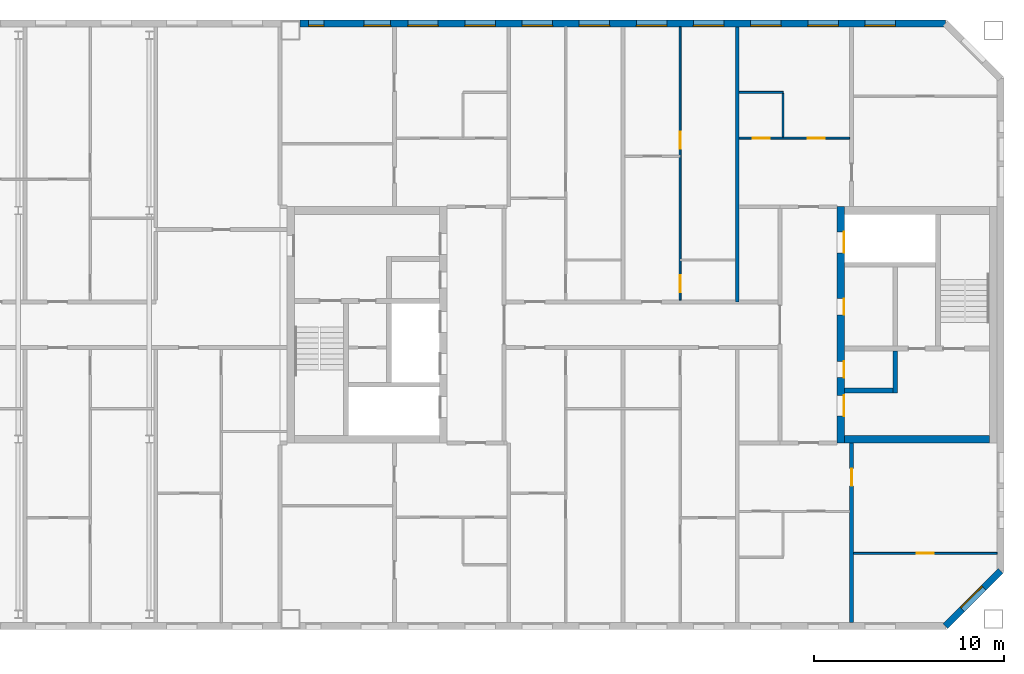
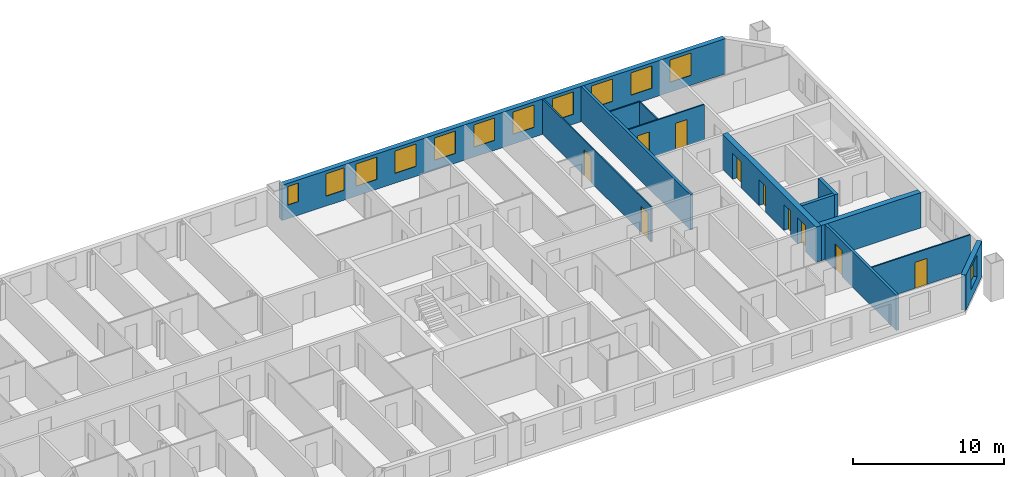
# One storey, part 16 of 19: 13 walls, 12 windows, 10 doors, 22 openings.
"""IFC4 building model written with IfcOpenShell, lengths in metres."""

import ifcopenshell
import ifcopenshell.guid

model = None  # the IFC model being written
_history = None  # IfcOwnerHistory: only IFC2X3 demands one
_inside = {}  # id of a spatial element -> (the spatial element, [elements in it])
_under = {}  # id of a project, library or spatial element -> (it, [spatial elements below it])
_declared = {}  # id of a project -> (the project, [libraries it declares])
_typed = {}  # id of a type object -> (the type object, [elements of that type])
_made_of = {}  # id of a material, layer set ... -> (it, [elements and type objects made of it])


def new_model(schema):
    """Start an empty IFC model of exactly this schema.

    Asked for "IFC4X3", IfcOpenShell would pick the latest addendum, in which some entities
    have other attributes; the version numbers below select the first issue.
    IFC2X3 requires an IfcOwnerHistory on every rooted entity: one is made here for all.
    """
    global model, _history
    if schema == "IFC4X3":
        model = ifcopenshell.file(schema_version=(4, 3, 0, 0))
    else:
        model = ifcopenshell.file(schema=schema)
    _inside.clear()
    _under.clear()
    _declared.clear()
    _typed.clear()
    _made_of.clear()
    _history = None
    if model.schema == "IFC2X3":
        org = make("IfcOrganization", Name="unknown")
        user = make(
            "IfcPersonAndOrganization",
            ThePerson=make("IfcPerson", FamilyName="unknown"),
            TheOrganization=org,
        )
        app = make(
            "IfcApplication",
            ApplicationDeveloper=org,
            Version="unknown",
            ApplicationFullName="unknown",
            ApplicationIdentifier="unknown",
        )
        _history = make(
            "IfcOwnerHistory",
            OwningUser=user,
            OwningApplication=app,
            ChangeAction="ADDED",
            CreationDate=0,
        )
    return model


def make(cls, **values):
    """One entity of the class cls with the attributes given. An attribute that is None is left unset."""
    return model.create_entity(
        cls, **{name: value for name, value in values.items() if value is not None}
    )


def rooted(cls, **values):
    """An entity with a GlobalId (a new one), such as an element, a storey or a relation."""
    return make(cls, GlobalId=ifcopenshell.guid.new(), OwnerHistory=_history, **values)


def si_unit(unit_type, name, prefix=None):
    """IfcSIUnit, for example si_unit("LENGTHUNIT", "METRE", prefix="MILLI")."""
    return make("IfcSIUnit", UnitType=unit_type, Prefix=prefix, Name=name)


def assignment(units):
    """IfcUnitAssignment: the units of a project."""
    return None if units is None else make("IfcUnitAssignment", Units=units)


def point(xyz):
    """IfcCartesianPoint."""
    return None if xyz is None else make("IfcCartesianPoint", Coordinates=xyz)


def direction(xyz):
    """IfcDirection."""
    return None if xyz is None else make("IfcDirection", DirectionRatios=xyz)


def frame(location, z_axis=None, x_axis=None):
    """IfcAxis2Placement3D, a coordinate frame: its origin and axes. An axis left out is left unset."""
    return make(
        "IfcAxis2Placement3D",
        Location=point(location),
        Axis=direction(z_axis),
        RefDirection=direction(x_axis),
    )


def frame_2d(location, x_axis=None):
    """IfcAxis2Placement2D, a coordinate frame in the plane: its origin and x axis."""
    return make(
        "IfcAxis2Placement2D", Location=point(location), RefDirection=direction(x_axis)
    )


def origin():
    """The frame at (0, 0, 0) with its axes left unset."""
    return frame((0.0, 0.0, 0.0))


def place(relative_to, where):
    """IfcLocalPlacement: puts the frame where relative to a parent placement (None: the world)."""
    return make(
        "IfcLocalPlacement", PlacementRelTo=relative_to, RelativePlacement=where
    )


def context(
    kind, dimensions, precision=None, world=None, true_north=None, identifier=None
):
    """IfcGeometricRepresentationContext, for example the 3D "Model" context."""
    return make(
        "IfcGeometricRepresentationContext",
        ContextIdentifier=identifier,
        ContextType=kind,
        CoordinateSpaceDimension=dimensions,
        Precision=precision,
        WorldCoordinateSystem=world,
        TrueNorth=true_north,
    )


def subcontext(parent, identifier, kind, view, scale=None):
    """IfcGeometricRepresentationSubContext, for example "Body" below "Model"."""
    return make(
        "IfcGeometricRepresentationSubContext",
        ContextIdentifier=identifier,
        ContextType=kind,
        ParentContext=parent,
        TargetScale=scale,
        TargetView=view,
    )


def project(units=None, contexts=None):
    """IfcProject with its units and contexts."""
    return rooted(
        "IfcProject",
        Name="project",
        RepresentationContexts=contexts,
        UnitsInContext=assignment(units),
    )


def spatial(cls, under=None, at=None, **own):
    """A site, building, storey or space (cls), placed at a placement, below another one or the project."""
    s = rooted(cls, ObjectPlacement=at, **own)
    if under is not None:
        _under.setdefault(under.id(), (under, []))[1].append(s)
    return s


def profile(cls, at=None, kind="AREA", **sizes):
    """A parametric profile (cls). Its sizes go by their IFC names, for example OverallWidth=200.0."""
    return make(cls, ProfileType=kind, Position=at, **sizes)


def rectangle(**sizes):
    """IfcRectangleProfileDef."""
    return profile("IfcRectangleProfileDef", **sizes)


def extrude(swept, where, along, depth):
    """IfcExtrudedAreaSolid: the profile swept, set in the frame where, extruded along a direction by depth."""
    return make(
        "IfcExtrudedAreaSolid",
        SweptArea=swept,
        Position=where,
        ExtrudedDirection=direction(along),
        Depth=depth,
    )


def shape(context_of_items, identifier, shape_type, items):
    """IfcShapeRepresentation: the items that make up one representation, for example the "Body"."""
    return make(
        "IfcShapeRepresentation",
        ContextOfItems=context_of_items,
        RepresentationIdentifier=identifier,
        RepresentationType=shape_type,
        Items=items,
    )


def material(Name=None, Category=None):
    """IfcMaterial."""
    return make("IfcMaterial", Name=Name, Category=Category)


def layer(
    of_material, thickness, ventilated=None, Name=None, Category=None, Priority=None
):
    """IfcMaterialLayer: one layer of a wall or slab, of a material (None: an air gap)."""
    return make(
        "IfcMaterialLayer",
        Material=of_material,
        LayerThickness=thickness,
        IsVentilated=ventilated,
        Name=Name,
        Category=Category,
        Priority=Priority,
    )


def layer_set(layers, Name=None):
    """IfcMaterialLayerSet."""
    return make("IfcMaterialLayerSet", MaterialLayers=layers, LayerSetName=Name)


def made_of(thing, what):
    """Note that an element or type object is made of a material, layer set ...; save() writes the relation."""
    if what is not None:
        _made_of.setdefault(what.id(), (what, []))[1].append(thing)
    return thing


def type_object(cls, material=None, **own):
    """A type object (cls), such as IfcWallType, which elements share."""
    return made_of(rooted(cls, **own), material)


def element(
    cls,
    number,
    at=None,
    inside=None,
    cuts=None,
    type_object=None,
    material=None,
    context=None,
    identifier="Body",
    shape_type=None,
    held_by="IfcProductDefinitionShape",
    body=None,
    shapes=None,
    **own,
):
    """One element of the class cls, such as IfcWall. Its Tag is "e" and its number.

    at: its placement. inside: the storey or other place that contains it. cuts: it is an
    opening in that element (IfcRelVoidsElement). A single representation is given by context,
    identifier, shape_type and body (its items); several are given by shapes. held_by: the class
    of the entity that holds the representations. save() writes the other relations.
    """
    e = rooted(cls, Tag="e%d" % number, ObjectPlacement=at, **own)
    if body is not None:
        shapes = [shape(context, identifier, shape_type, body)]
    if shapes is not None:
        e.Representation = make(held_by, Representations=shapes)
    if inside is not None:
        _inside.setdefault(inside.id(), (inside, []))[1].append(e)
    if cuts is not None:
        rooted(
            "IfcRelVoidsElement", RelatingBuildingElement=cuts, RelatedOpeningElement=e
        )
    if type_object is not None:
        _typed.setdefault(type_object.id(), (type_object, []))[1].append(e)
    return made_of(e, material)


def fill(opening, filler):
    """IfcRelFillsElement: the door or window that sits in an opening."""
    return rooted(
        "IfcRelFillsElement",
        RelatingOpeningElement=opening,
        RelatedBuildingElement=filler,
    )


def aggregate(whole, parts):
    """IfcRelAggregates: a whole, such as a stair, and the parts it consists of."""
    return rooted("IfcRelAggregates", RelatingObject=whole, RelatedObjects=parts)


def save(model, path):
    """Write the relations noted so far, then the file.

    IfcRelAggregates (storeys below a building ...), IfcRelContainedInSpatialStructure (elements
    in a storey), IfcRelDefinesByType, IfcRelAssociatesMaterial and IfcRelDeclares: one each for
    every whole, place, type object, material and project.
    """
    for whole, parts in _under.values():
        aggregate(whole, parts)
    for where, things in _inside.values():
        rooted(
            "IfcRelContainedInSpatialStructure",
            RelatedElements=things,
            RelatingStructure=where,
        )
    for kind, things in _typed.values():
        rooted("IfcRelDefinesByType", RelatedObjects=things, RelatingType=kind)
    for what, things in _made_of.values():
        rooted("IfcRelAssociatesMaterial", RelatedObjects=things, RelatingMaterial=what)
    for by, libraries in _declared.values():
        rooted("IfcRelDeclares", RelatingContext=by, RelatedDefinitions=libraries)
    model.write(path)


model = new_model("IFC4")

# Units and contexts
model_context = context("Model", 3, precision=1e-05, world=origin(), true_north=direction((0.0, 1.0)))
body_context = subcontext(model_context, "Body", "Model", "MODEL_VIEW")
ifc_project = project(units=[si_unit("LENGTHUNIT", "METRE"), si_unit("AREAUNIT", "SQUARE_METRE"), si_unit("VOLUMEUNIT", "CUBIC_METRE"), si_unit("PLANEANGLEUNIT", "RADIAN"), si_unit("MASSUNIT", "GRAM", prefix="KILO")], contexts=[model_context])

# Site, building, storey
site_placement = place(None, origin())
site = spatial("IfcSite", under=ifc_project, at=site_placement, CompositionType="ELEMENT")
building_placement = place(site_placement, origin())
building = spatial("IfcBuilding", under=site, at=building_placement, Name="Tuart Gate Housing", CompositionType="ELEMENT")
storey_placement = place(building_placement, frame((0.0, 0.0, 205.89990234375)))
storey = spatial("IfcBuildingStorey", under=building, at=storey_placement, Name="L58", CompositionType="ELEMENT", Elevation=205.89990234375)

# Wall, opening, window
ifc_material_1 = material(Name="Brick", Category="masonry")
ifc_layer_1 = layer(ifc_material_1, 0.360107421875)
ifc_layer_set_1 = layer_set([ifc_layer_1], Name="Brick pier and spandrel wall 360")
wall_type_1 = type_object("IfcWallType", Name="Brick pier and spandrel wall 360", PredefinedType="STANDARD", material=ifc_layer_set_1)
wall_1_placement = place(storey_placement, frame((165.92529296875, 54.179931640625, 0.0), z_axis=(0.0, 0.0, 1.0), x_axis=(0.707106781187, 0.707106781187, 0.0)))
wall_1 = element("IfcWall", 1, at=wall_1_placement, inside=storey, type_object=wall_type_1, Name="External wall BLK-SE L58", PredefinedType="STANDARD", context=body_context, shape_type="SweptSolid", body=[
    extrude(rectangle(XDim=4.09375, YDim=0.360107421875, at=frame_2d((2.046875, 0.0))), origin(), (0.0, 0.0, 1.0), 2.85009765625),
])
opening_1_placement = place(wall_1_placement, frame((1.2470703125, 0.0, 0.800048828125)))
opening_1 = element("IfcOpeningElement", 2, at=opening_1_placement, cuts=wall_1, Name="Opening W1", PredefinedType="OPENING", context=body_context, shape_type="SweptSolid", body=[
    extrude(rectangle(XDim=1.60009765625, YDim=1.800048828125, at=frame_2d((0.800048828125, 0.89990234375))), frame((0.0, 0.18994140625, 0.0), z_axis=(0.0, -1.0, 0.0), x_axis=(1.0, 0.0, 0.0)), (0.0, 0.0, 1.0), 0.380126953125),
])
ifc_material_2 = material(Name="Aluminium frame with clear glass", Category="aluminium")
window_type_1 = type_object("IfcWindowType", Name="Punched window 1600 x 1800", PartitioningType="SINGLE_PANEL", PredefinedType="WINDOW", material=ifc_material_2)
window_1_placement = place(opening_1_placement, origin())
window_1 = element("IfcWindow", 3, at=window_1_placement, inside=storey, type_object=window_type_1, Name="Window W1", OverallHeight=1.800048828125, OverallWidth=1.60009765625, PartitioningType="SINGLE_PANEL", PredefinedType="WINDOW", context=body_context, shape_type="SweptSolid", body=[
    extrude(rectangle(XDim=1.60009765625, YDim=1.800048828125, at=frame_2d((0.800048828125, 0.89990234375))), frame((0.0, 0.150146484375, 0.0), z_axis=(0.0, -1.0, 0.0), x_axis=(1.0, 0.0, 0.0)), (0.0, 0.0, 1.0), 0.06005859375),
])
fill(opening_1, window_1)

# Wall, openings, windows
wall_2_placement = place(storey_placement, frame((165.92529296875, 85.820068359375, 0.0), z_axis=(0.0, 0.0, 1.0), x_axis=(-1.0, 0.0, 0.0)))
wall_2 = element("IfcWall", 4, at=wall_2_placement, inside=storey, type_object=wall_type_1, Name="External wall BLK-N L58", PredefinedType="STANDARD", context=body_context, shape_type="SweptSolid", body=[
    extrude(rectangle(XDim=33.875244140625, YDim=0.360107421875, at=frame_2d((16.9375, 0.0))), origin(), (0.0, 0.0, 1.0), 2.85009765625),
])
opening_2_placement = place(wall_2_placement, frame((2.62548828125, 0.0, 0.800048828125)))
opening_2 = element("IfcOpeningElement", 5, at=opening_2_placement, cuts=wall_2, Name="Opening W1", PredefinedType="OPENING", context=body_context, shape_type="SweptSolid", body=[
    extrude(rectangle(XDim=1.60009765625, YDim=1.800048828125, at=frame_2d((0.800048828125, 0.89990234375))), frame((0.0, 0.18994140625, 0.0), z_axis=(0.0, -1.0, 0.0), x_axis=(1.0, 0.0, 0.0)), (0.0, 0.0, 1.0), 0.380126953125),
])
opening_3_placement = place(wall_2_placement, frame((5.62548828125, 0.0, 0.800048828125)))
opening_3 = element("IfcOpeningElement", 6, at=opening_3_placement, cuts=wall_2, Name="Opening W1", PredefinedType="OPENING", context=body_context, shape_type="SweptSolid", body=[
    extrude(rectangle(XDim=1.60009765625, YDim=1.800048828125, at=frame_2d((0.800048828125, 0.89990234375))), frame((0.0, 0.18994140625, 0.0), z_axis=(0.0, -1.0, 0.0), x_axis=(1.0, 0.0, 0.0)), (0.0, 0.0, 1.0), 0.380126953125),
])
opening_4_placement = place(wall_2_placement, frame((8.62548828125, 0.0, 0.800048828125)))
opening_4 = element("IfcOpeningElement", 7, at=opening_4_placement, cuts=wall_2, Name="Opening W1", PredefinedType="OPENING", context=body_context, shape_type="SweptSolid", body=[
    extrude(rectangle(XDim=1.60009765625, YDim=1.800048828125, at=frame_2d((0.800048828125, 0.89990234375))), frame((0.0, 0.18994140625, 0.0), z_axis=(0.0, -1.0, 0.0), x_axis=(1.0, 0.0, 0.0)), (0.0, 0.0, 1.0), 0.380126953125),
])
opening_5_placement = place(wall_2_placement, frame((11.62548828125, 0.0, 0.800048828125)))
opening_5 = element("IfcOpeningElement", 8, at=opening_5_placement, cuts=wall_2, Name="Opening W1", PredefinedType="OPENING", context=body_context, shape_type="SweptSolid", body=[
    extrude(rectangle(XDim=1.60009765625, YDim=1.800048828125, at=frame_2d((0.800048828125, 0.89990234375))), frame((0.0, 0.18994140625, 0.0), z_axis=(0.0, -1.0, 0.0), x_axis=(1.0, 0.0, 0.0)), (0.0, 0.0, 1.0), 0.380126953125),
])
opening_6_placement = place(wall_2_placement, frame((14.62548828125, 0.0, 0.800048828125)))
opening_6 = element("IfcOpeningElement", 9, at=opening_6_placement, cuts=wall_2, Name="Opening W1", PredefinedType="OPENING", context=body_context, shape_type="SweptSolid", body=[
    extrude(rectangle(XDim=1.60009765625, YDim=1.800048828125, at=frame_2d((0.800048828125, 0.89990234375))), frame((0.0, 0.18994140625, 0.0), z_axis=(0.0, -1.0, 0.0), x_axis=(1.0, 0.0, 0.0)), (0.0, 0.0, 1.0), 0.380126953125),
])
opening_7_placement = place(wall_2_placement, frame((17.62548828125, 0.0, 0.800048828125)))
opening_7 = element("IfcOpeningElement", 10, at=opening_7_placement, cuts=wall_2, Name="Opening W1", PredefinedType="OPENING", context=body_context, shape_type="SweptSolid", body=[
    extrude(rectangle(XDim=1.60009765625, YDim=1.800048828125, at=frame_2d((0.800048828125, 0.89990234375))), frame((0.0, 0.18994140625, 0.0), z_axis=(0.0, -1.0, 0.0), x_axis=(1.0, 0.0, 0.0)), (0.0, 0.0, 1.0), 0.380126953125),
])
opening_8_placement = place(wall_2_placement, frame((20.62548828125, 0.0, 0.800048828125)))
opening_8 = element("IfcOpeningElement", 11, at=opening_8_placement, cuts=wall_2, Name="Opening W1", PredefinedType="OPENING", context=body_context, shape_type="SweptSolid", body=[
    extrude(rectangle(XDim=1.60009765625, YDim=1.800048828125, at=frame_2d((0.800048828125, 0.89990234375))), frame((0.0, 0.18994140625, 0.0), z_axis=(0.0, -1.0, 0.0), x_axis=(1.0, 0.0, 0.0)), (0.0, 0.0, 1.0), 0.380126953125),
])
opening_9_placement = place(wall_2_placement, frame((23.62548828125, 0.0, 0.800048828125)))
opening_9 = element("IfcOpeningElement", 12, at=opening_9_placement, cuts=wall_2, Name="Opening W1", PredefinedType="OPENING", context=body_context, shape_type="SweptSolid", body=[
    extrude(rectangle(XDim=1.60009765625, YDim=1.800048828125, at=frame_2d((0.800048828125, 0.89990234375))), frame((0.0, 0.18994140625, 0.0), z_axis=(0.0, -1.0, 0.0), x_axis=(1.0, 0.0, 0.0)), (0.0, 0.0, 1.0), 0.380126953125),
])
opening_10_placement = place(wall_2_placement, frame((26.62548828125, 0.0, 0.800048828125)))
opening_10 = element("IfcOpeningElement", 13, at=opening_10_placement, cuts=wall_2, Name="Opening W1", PredefinedType="OPENING", context=body_context, shape_type="SweptSolid", body=[
    extrude(rectangle(XDim=1.60009765625, YDim=1.800048828125, at=frame_2d((0.800048828125, 0.89990234375))), frame((0.0, 0.18994140625, 0.0), z_axis=(0.0, -1.0, 0.0), x_axis=(1.0, 0.0, 0.0)), (0.0, 0.0, 1.0), 0.380126953125),
])
opening_11_placement = place(wall_2_placement, frame((29.12548828125, 0.0, 0.800048828125)))
opening_11 = element("IfcOpeningElement", 14, at=opening_11_placement, cuts=wall_2, Name="Opening W1A", PredefinedType="OPENING", context=body_context, shape_type="SweptSolid", body=[
    extrude(rectangle(XDim=1.39990234375, YDim=1.800048828125, at=frame_2d((0.699951171875, 0.89990234375))), frame((0.0, 0.18994140625, 0.0), z_axis=(0.0, -1.0, 0.0), x_axis=(1.0, 0.0, 0.0)), (0.0, 0.0, 1.0), 0.380126953125),
])
opening_12_placement = place(wall_2_placement, frame((32.62548828125, 0.0, 1.10009765625)))
opening_12 = element("IfcOpeningElement", 15, at=opening_12_placement, cuts=wall_2, Name="Opening W1J", PredefinedType="OPENING", context=body_context, shape_type="SweptSolid", body=[
    extrude(rectangle(XDim=0.800048828125, YDim=1.5, at=frame_2d((0.39990234375, 0.75))), frame((0.0, 0.18994140625, 0.0), z_axis=(0.0, -1.0, 0.0), x_axis=(1.0, 0.0, 0.0)), (0.0, 0.0, 1.0), 0.380126953125),
])
ifc_material_3 = material(Name="Aluminium frame with clear glass", Category="aluminium")
window_type_2 = type_object("IfcWindowType", Name="Punched window 1400 x 1800", PartitioningType="SINGLE_PANEL", PredefinedType="WINDOW", material=ifc_material_3)
window_2_placement = place(opening_11_placement, origin())
window_2 = element("IfcWindow", 16, at=window_2_placement, inside=storey, type_object=window_type_2, Name="Window W1A", OverallHeight=1.800048828125, OverallWidth=1.39990234375, PartitioningType="SINGLE_PANEL", PredefinedType="WINDOW", context=body_context, shape_type="SweptSolid", body=[
    extrude(rectangle(XDim=1.39990234375, YDim=1.800048828125, at=frame_2d((0.699951171875, 0.89990234375))), frame((0.0, 0.150146484375, 0.0), z_axis=(0.0, -1.0, 0.0), x_axis=(1.0, 0.0, 0.0)), (0.0, 0.0, 1.0), 0.06005859375),
])
fill(opening_11, window_2)
window_3_placement = place(opening_2_placement, origin())
window_3 = element("IfcWindow", 17, at=window_3_placement, inside=storey, type_object=window_type_1, Name="Window W1", OverallHeight=1.800048828125, OverallWidth=1.60009765625, PartitioningType="SINGLE_PANEL", PredefinedType="WINDOW", context=body_context, shape_type="SweptSolid", body=[
    extrude(rectangle(XDim=1.60009765625, YDim=1.800048828125, at=frame_2d((0.800048828125, 0.89990234375))), frame((0.0, 0.150146484375, 0.0), z_axis=(0.0, -1.0, 0.0), x_axis=(1.0, 0.0, 0.0)), (0.0, 0.0, 1.0), 0.06005859375),
])
fill(opening_2, window_3)
window_4_placement = place(opening_3_placement, origin())
window_4 = element("IfcWindow", 18, at=window_4_placement, inside=storey, type_object=window_type_1, Name="Window W1", OverallHeight=1.800048828125, OverallWidth=1.60009765625, PartitioningType="SINGLE_PANEL", PredefinedType="WINDOW", context=body_context, shape_type="SweptSolid", body=[
    extrude(rectangle(XDim=1.60009765625, YDim=1.800048828125, at=frame_2d((0.800048828125, 0.89990234375))), frame((0.0, 0.150146484375, 0.0), z_axis=(0.0, -1.0, 0.0), x_axis=(1.0, 0.0, 0.0)), (0.0, 0.0, 1.0), 0.06005859375),
])
fill(opening_3, window_4)
window_5_placement = place(opening_4_placement, origin())
window_5 = element("IfcWindow", 19, at=window_5_placement, inside=storey, type_object=window_type_1, Name="Window W1", OverallHeight=1.800048828125, OverallWidth=1.60009765625, PartitioningType="SINGLE_PANEL", PredefinedType="WINDOW", context=body_context, shape_type="SweptSolid", body=[
    extrude(rectangle(XDim=1.60009765625, YDim=1.800048828125, at=frame_2d((0.800048828125, 0.89990234375))), frame((0.0, 0.150146484375, 0.0), z_axis=(0.0, -1.0, 0.0), x_axis=(1.0, 0.0, 0.0)), (0.0, 0.0, 1.0), 0.06005859375),
])
fill(opening_4, window_5)
window_6_placement = place(opening_5_placement, origin())
window_6 = element("IfcWindow", 20, at=window_6_placement, inside=storey, type_object=window_type_1, Name="Window W1", OverallHeight=1.800048828125, OverallWidth=1.60009765625, PartitioningType="SINGLE_PANEL", PredefinedType="WINDOW", context=body_context, shape_type="SweptSolid", body=[
    extrude(rectangle(XDim=1.60009765625, YDim=1.800048828125, at=frame_2d((0.800048828125, 0.89990234375))), frame((0.0, 0.150146484375, 0.0), z_axis=(0.0, -1.0, 0.0), x_axis=(1.0, 0.0, 0.0)), (0.0, 0.0, 1.0), 0.06005859375),
])
fill(opening_5, window_6)
window_7_placement = place(opening_6_placement, origin())
window_7 = element("IfcWindow", 21, at=window_7_placement, inside=storey, type_object=window_type_1, Name="Window W1", OverallHeight=1.800048828125, OverallWidth=1.60009765625, PartitioningType="SINGLE_PANEL", PredefinedType="WINDOW", context=body_context, shape_type="SweptSolid", body=[
    extrude(rectangle(XDim=1.60009765625, YDim=1.800048828125, at=frame_2d((0.800048828125, 0.89990234375))), frame((0.0, 0.150146484375, 0.0), z_axis=(0.0, -1.0, 0.0), x_axis=(1.0, 0.0, 0.0)), (0.0, 0.0, 1.0), 0.06005859375),
])
fill(opening_6, window_7)
window_8_placement = place(opening_7_placement, origin())
window_8 = element("IfcWindow", 22, at=window_8_placement, inside=storey, type_object=window_type_1, Name="Window W1", OverallHeight=1.800048828125, OverallWidth=1.60009765625, PartitioningType="SINGLE_PANEL", PredefinedType="WINDOW", context=body_context, shape_type="SweptSolid", body=[
    extrude(rectangle(XDim=1.60009765625, YDim=1.800048828125, at=frame_2d((0.800048828125, 0.89990234375))), frame((0.0, 0.150146484375, 0.0), z_axis=(0.0, -1.0, 0.0), x_axis=(1.0, 0.0, 0.0)), (0.0, 0.0, 1.0), 0.06005859375),
])
fill(opening_7, window_8)
window_9_placement = place(opening_8_placement, origin())
window_9 = element("IfcWindow", 23, at=window_9_placement, inside=storey, type_object=window_type_1, Name="Window W1", OverallHeight=1.800048828125, OverallWidth=1.60009765625, PartitioningType="SINGLE_PANEL", PredefinedType="WINDOW", context=body_context, shape_type="SweptSolid", body=[
    extrude(rectangle(XDim=1.60009765625, YDim=1.800048828125, at=frame_2d((0.800048828125, 0.89990234375))), frame((0.0, 0.150146484375, 0.0), z_axis=(0.0, -1.0, 0.0), x_axis=(1.0, 0.0, 0.0)), (0.0, 0.0, 1.0), 0.06005859375),
])
fill(opening_8, window_9)
window_10_placement = place(opening_9_placement, origin())
window_10 = element("IfcWindow", 24, at=window_10_placement, inside=storey, type_object=window_type_1, Name="Window W1", OverallHeight=1.800048828125, OverallWidth=1.60009765625, PartitioningType="SINGLE_PANEL", PredefinedType="WINDOW", context=body_context, shape_type="SweptSolid", body=[
    extrude(rectangle(XDim=1.60009765625, YDim=1.800048828125, at=frame_2d((0.800048828125, 0.89990234375))), frame((0.0, 0.150146484375, 0.0), z_axis=(0.0, -1.0, 0.0), x_axis=(1.0, 0.0, 0.0)), (0.0, 0.0, 1.0), 0.06005859375),
])
fill(opening_9, window_10)
window_11_placement = place(opening_10_placement, origin())
window_11 = element("IfcWindow", 25, at=window_11_placement, inside=storey, type_object=window_type_1, Name="Window W1", OverallHeight=1.800048828125, OverallWidth=1.60009765625, PartitioningType="SINGLE_PANEL", PredefinedType="WINDOW", context=body_context, shape_type="SweptSolid", body=[
    extrude(rectangle(XDim=1.60009765625, YDim=1.800048828125, at=frame_2d((0.800048828125, 0.89990234375))), frame((0.0, 0.150146484375, 0.0), z_axis=(0.0, -1.0, 0.0), x_axis=(1.0, 0.0, 0.0)), (0.0, 0.0, 1.0), 0.06005859375),
])
fill(opening_10, window_11)
ifc_material_4 = material(Name="Aluminium frame with clear glass", Category="aluminium")
window_type_3 = type_object("IfcWindowType", Name="Punched window 800 x 1500", PartitioningType="SINGLE_PANEL", PredefinedType="WINDOW", material=ifc_material_4)
window_12_placement = place(opening_12_placement, origin())
window_12 = element("IfcWindow", 26, at=window_12_placement, inside=storey, type_object=window_type_3, Name="Window W1J", OverallHeight=1.5, OverallWidth=0.800048828125, PartitioningType="SINGLE_PANEL", PredefinedType="WINDOW", context=body_context, shape_type="SweptSolid", body=[
    extrude(rectangle(XDim=0.800048828125, YDim=1.5, at=frame_2d((0.39990234375, 0.75))), frame((0.0, 0.150146484375, 0.0), z_axis=(0.0, -1.0, 0.0), x_axis=(1.0, 0.0, 0.0)), (0.0, 0.0, 1.0), 0.06005859375),
])
fill(opening_12, window_12)

# Walls
ifc_material_5 = material(Name="Concrete C40", Category="concrete")
ifc_layer_2 = layer(ifc_material_5, 0.25)
ifc_layer_set_2 = layer_set([ifc_layer_2], Name="Core wall 250 C40")
wall_type_2 = type_object("IfcWallType", Name="Core wall 250 C40", PredefinedType="SHEAR", material=ifc_layer_set_2)
wall_3_placement = place(storey_placement, frame((160.639892578125, 66.550048828125, 0.0), z_axis=(0.0, 0.0, 1.0), x_axis=(1.0, 0.0, 0.0)))
element("IfcWall", 27, at=wall_3_placement, inside=storey, type_object=wall_type_2, Name="Core wall BK.3", PredefinedType="SHEAR", context=body_context, shape_type="SweptSolid", body=[
    extrude(rectangle(XDim=2.525146484375, YDim=0.25, at=frame_2d((1.2626953125, 0.0))), origin(), (0.0, 0.0, 1.0), 2.85009765625),
])
wall_4_placement = place(storey_placement, frame((163.2900390625, 68.625, 0.0), z_axis=(0.0, 0.0, 1.0), x_axis=(0.0, -1.0, 0.0)))
element("IfcWall", 28, at=wall_4_placement, inside=storey, type_object=wall_type_2, Name="Core wall BK.5", PredefinedType="SHEAR", context=body_context, shape_type="SweptSolid", body=[
    extrude(rectangle(XDim=2.199951171875, YDim=0.25, at=frame_2d((1.10009765625, 0.0))), origin(), (0.0, 0.0, 1.0), 2.85009765625),
])

# Wall, openings, doors
ifc_material_6 = material(Name="Concrete C40", Category="concrete")
ifc_layer_3 = layer(ifc_material_6, 0.39990234375)
ifc_layer_set_3 = layer_set([ifc_layer_3], Name="Core wall 400 C40")
wall_type_3 = type_object("IfcWallType", Name="Core wall 400 C40", PredefinedType="SHEAR", material=ifc_layer_set_3)
wall_5_placement = place(storey_placement, frame((160.43994140625, 76.199951171875, 0.0), z_axis=(0.0, 0.0, 1.0), x_axis=(0.0, -1.0, 0.0)))
wall_5 = element("IfcWall", 29, at=wall_5_placement, inside=storey, type_object=wall_type_3, Name="Core wall BK front", PredefinedType="SHEAR", context=body_context, shape_type="SweptSolid", body=[
    extrude(rectangle(XDim=12.39990234375, YDim=0.39990234375, at=frame_2d((6.199951171875, 0.0))), origin(), (0.0, 0.0, 1.0), 2.85009765625),
])
opening_13_placement = place(wall_5_placement, frame((1.324951171875, 0.0, 0.0)))
opening_13 = element("IfcOpeningElement", 30, at=opening_13_placement, cuts=wall_5, Name="Opening LD-FB2", PredefinedType="OPENING", context=body_context, shape_type="SweptSolid", body=[
    extrude(rectangle(XDim=1.10009765625, YDim=2.10009765625, at=frame_2d((0.550048828125, 1.050048828125))), frame((0.0, 0.2099609375, 0.0), z_axis=(0.0, -1.0, 0.0), x_axis=(1.0, 0.0, 0.0)), (0.0, 0.0, 1.0), 0.419921875),
])
opening_14_placement = place(wall_5_placement, frame((4.824951171875, 0.0, 0.0)))
opening_14 = element("IfcOpeningElement", 31, at=opening_14_placement, cuts=wall_5, Name="Opening D2086", PredefinedType="OPENING", context=body_context, shape_type="SweptSolid", body=[
    extrude(rectangle(XDim=0.85009765625, YDim=2.10009765625, at=frame_2d((0.425048828125, 1.050048828125))), frame((0.0, 0.2099609375, 0.0), z_axis=(0.0, -1.0, 0.0), x_axis=(1.0, 0.0, 0.0)), (0.0, 0.0, 1.0), 0.419921875),
])
opening_15_placement = place(wall_5_placement, frame((9.89990234375, 0.0, 0.0)))
opening_15 = element("IfcOpeningElement", 32, at=opening_15_placement, cuts=wall_5, Name="Opening D2085", PredefinedType="OPENING", context=body_context, shape_type="SweptSolid", body=[
    extrude(rectangle(XDim=1.10009765625, YDim=2.10009765625, at=frame_2d((0.550048828125, 1.050048828125))), frame((0.0, 0.2099609375, 0.0), z_axis=(0.0, -1.0, 0.0), x_axis=(1.0, 0.0, 0.0)), (0.0, 0.0, 1.0), 0.419921875),
])
opening_16_placement = place(wall_5_placement, frame((8.125, 0.0, 0.0)))
opening_16 = element("IfcOpeningElement", 33, at=opening_16_placement, cuts=wall_5, Name="Opening D2087", PredefinedType="OPENING", context=body_context, shape_type="SweptSolid", body=[
    extrude(rectangle(XDim=0.85009765625, YDim=2.10009765625, at=frame_2d((0.425048828125, 1.050048828125))), frame((0.0, 0.2099609375, 0.0), z_axis=(0.0, -1.0, 0.0), x_axis=(1.0, 0.0, 0.0)), (0.0, 0.0, 1.0), 0.419921875),
])
ifc_material_7 = material(Name="Stainless steel", Category="steel")
door_type_1 = type_object("IfcDoorType", Name="Landing door 1100 x 2100", OperationType="DOUBLE_DOOR_SLIDING", PredefinedType="DOOR", material=ifc_material_7)
door_1_placement = place(opening_13_placement, origin())
door_1 = element("IfcDoor", 34, at=door_1_placement, inside=storey, type_object=door_type_1, Name="Lift landing door FB2", OperationType="DOUBLE_DOOR_SLIDING", OverallHeight=2.10009765625, OverallWidth=1.10009765625, PredefinedType="DOOR", context=body_context, shape_type="SweptSolid", body=[
    extrude(rectangle(XDim=1.10009765625, YDim=2.10009765625, at=frame_2d((0.550048828125, 1.050048828125))), frame((0.0, 0.18505859375, 0.0), z_axis=(0.0, -1.0, 0.0), x_axis=(1.0, 0.0, 0.0)), (0.0, 0.0, 1.0), 0.050048828125),
])
fill(opening_13, door_1)
ifc_material_8 = material(Name="Steel fire door", Category="steel")
door_type_2 = type_object("IfcDoorType", Name="Lobby door 1100 x 2100", OperationType="SINGLE_SWING_LEFT", PredefinedType="DOOR", material=ifc_material_8)
door_2_placement = place(opening_15_placement, origin())
door_2 = element("IfcDoor", 35, at=door_2_placement, inside=storey, type_object=door_type_2, Name="Lobby entry door BK.EN", OperationType="SINGLE_SWING_LEFT", OverallHeight=2.10009765625, OverallWidth=1.10009765625, PredefinedType="DOOR", context=body_context, shape_type="SweptSolid", body=[
    extrude(rectangle(XDim=1.10009765625, YDim=2.10009765625, at=frame_2d((0.550048828125, 1.050048828125))), frame((0.0, 0.18505859375, 0.0), z_axis=(0.0, -1.0, 0.0), x_axis=(1.0, 0.0, 0.0)), (0.0, 0.0, 1.0), 0.050048828125),
])
fill(opening_15, door_2)
ifc_material_9 = material(Name="Steel fire door", Category="steel")
door_type_3 = type_object("IfcDoorType", Name="Service door 850 x 2100", OperationType="SINGLE_SWING_LEFT", PredefinedType="DOOR", material=ifc_material_9)
door_3_placement = place(opening_14_placement, origin())
door_3 = element("IfcDoor", 36, at=door_3_placement, inside=storey, type_object=door_type_3, Name="Service room door BK.FR1", OperationType="SINGLE_SWING_LEFT", OverallHeight=2.10009765625, OverallWidth=0.85009765625, PredefinedType="DOOR", context=body_context, shape_type="SweptSolid", body=[
    extrude(rectangle(XDim=0.85009765625, YDim=2.10009765625, at=frame_2d((0.425048828125, 1.050048828125))), frame((0.0, 0.18505859375, 0.0), z_axis=(0.0, -1.0, 0.0), x_axis=(1.0, 0.0, 0.0)), (0.0, 0.0, 1.0), 0.050048828125),
])
fill(opening_14, door_3)
door_4_placement = place(opening_16_placement, origin())
door_4 = element("IfcDoor", 37, at=door_4_placement, inside=storey, type_object=door_type_3, Name="Service room door BK.T1", OperationType="SINGLE_SWING_LEFT", OverallHeight=2.10009765625, OverallWidth=0.85009765625, PredefinedType="DOOR", context=body_context, shape_type="SweptSolid", body=[
    extrude(rectangle(XDim=0.85009765625, YDim=2.10009765625, at=frame_2d((0.425048828125, 1.050048828125))), frame((0.0, 0.18505859375, 0.0), z_axis=(0.0, -1.0, 0.0), x_axis=(1.0, 0.0, 0.0)), (0.0, 0.0, 1.0), 0.050048828125),
])
fill(opening_16, door_4)

# Wall
wall_6_placement = place(storey_placement, frame((160.639892578125, 64.0, 0.0), z_axis=(0.0, 0.0, 1.0), x_axis=(1.0, 0.0, 0.0)))
element("IfcWall", 38, at=wall_6_placement, inside=storey, type_object=wall_type_3, Name="Core wall BK north", PredefinedType="SHEAR", context=body_context, shape_type="SweptSolid", body=[
    extrude(rectangle(XDim=7.60009765625, YDim=0.39990234375, at=frame_2d((3.800048828125, 0.0))), origin(), (0.0, 0.0, 1.0), 2.85009765625),
])

# Wall, opening, door
ifc_material_10 = material(Name="Gypsum board on steel studs", Category="steel")
ifc_layer_4 = layer(ifc_material_10, 0.10009765625)
ifc_layer_set_4 = layer_set([ifc_layer_4], Name="Partition 100")
wall_type_4 = type_object("IfcWallType", Name="Partition 100", PredefinedType="PARTITIONING", material=ifc_layer_set_4)
wall_7_placement = place(storey_placement, frame((161.10009765625, 58.0, 0.0), z_axis=(0.0, 0.0, 1.0), x_axis=(1.0, 0.0, 0.0)))
wall_7 = element("IfcWall", 39, at=wall_7_placement, inside=storey, type_object=wall_type_4, Name="Partition 100", PredefinedType="PARTITIONING", context=body_context, shape_type="SweptSolid", body=[
    extrude(rectangle(XDim=7.539794921875, YDim=0.10009765625, at=frame_2d((3.77001953125, 0.0))), origin(), (0.0, 0.0, 1.0), 2.85009765625),
])
opening_17_placement = place(wall_7_placement, frame((3.320068359375, 0.0, 0.0)))
opening_17 = element("IfcOpeningElement", 40, at=opening_17_placement, cuts=wall_7, Name="Opening D2108", PredefinedType="OPENING", context=body_context, shape_type="SweptSolid", body=[
    extrude(rectangle(XDim=0.89990234375, YDim=2.10009765625, at=frame_2d((0.449951171875, 1.050048828125))), frame((0.0, 0.06005859375, 0.0), z_axis=(0.0, -1.0, 0.0), x_axis=(1.0, 0.0, 0.0)), (0.0, 0.0, 1.0), 0.1201171875),
])
ifc_material_11 = material(Name="Timber door leaf in steel frame", Category="steel")
door_type_4 = type_object("IfcDoorType", Name="Internal door 900", OperationType="SINGLE_SWING_LEFT", PredefinedType="DOOR", material=ifc_material_11)
door_5_placement = place(opening_17_placement, frame((0.89990234375, 0.0, 0.0), z_axis=(0.0, 0.0, 1.0), x_axis=(-1.0, 0.0, 0.0)))
door_5 = element("IfcDoor", 41, at=door_5_placement, inside=storey, type_object=door_type_4, Name="Internal door", OperationType="SINGLE_SWING_LEFT", OverallHeight=2.10009765625, OverallWidth=0.89990234375, PredefinedType="DOOR", context=body_context, shape_type="SweptSolid", body=[
    extrude(rectangle(XDim=0.89990234375, YDim=2.10009765625, at=frame_2d((0.449951171875, 1.050048828125))), frame((0.0, 0.025146484375, 0.0), z_axis=(0.0, -1.0, 0.0), x_axis=(1.0, 0.0, 0.0)), (0.0, 0.0, 1.0), 0.050048828125),
])
fill(opening_17, door_5)

# Wall, openings, doors
wall_8_placement = place(storey_placement, frame((155.10009765625, 79.800048828125, 0.0), z_axis=(0.0, 0.0, 1.0), x_axis=(1.0, 0.0, 0.0)))
wall_8 = element("IfcWall", 42, at=wall_8_placement, inside=storey, type_object=wall_type_4, Name="Partition 100", PredefinedType="PARTITIONING", context=body_context, shape_type="SweptSolid", body=[
    extrude(rectangle(XDim=5.7998046875, YDim=0.10009765625, at=frame_2d((2.89990234375, 0.0))), origin(), (0.0, 0.0, 1.0), 2.85009765625),
])
opening_18_placement = place(wall_8_placement, frame((3.60009765625, 0.0, 0.0)))
opening_18 = element("IfcOpeningElement", 43, at=opening_18_placement, cuts=wall_8, Name="Opening D2067", PredefinedType="OPENING", context=body_context, shape_type="SweptSolid", body=[
    extrude(rectangle(XDim=0.89990234375, YDim=2.10009765625, at=frame_2d((0.449951171875, 1.050048828125))), frame((0.0, 0.06005859375, 0.0), z_axis=(0.0, -1.0, 0.0), x_axis=(1.0, 0.0, 0.0)), (0.0, 0.0, 1.0), 0.1201171875),
])
opening_19_placement = place(wall_8_placement, frame((0.699951171875, 0.0, 0.0)))
opening_19 = element("IfcOpeningElement", 44, at=opening_19_placement, cuts=wall_8, Name="Opening D2066", PredefinedType="OPENING", context=body_context, shape_type="SweptSolid", body=[
    extrude(rectangle(XDim=0.89990234375, YDim=2.10009765625, at=frame_2d((0.449951171875, 1.050048828125))), frame((0.0, 0.06005859375, 0.0), z_axis=(0.0, -1.0, 0.0), x_axis=(1.0, 0.0, 0.0)), (0.0, 0.0, 1.0), 0.1201171875),
])
ifc_material_12 = material(Name="Timber door leaf in steel frame", Category="steel")
door_type_5 = type_object("IfcDoorType", Name="Bathroom door 900 RH", OperationType="SINGLE_SWING_RIGHT", PredefinedType="DOOR", material=ifc_material_12)
door_6_placement = place(opening_19_placement, origin())
door_6 = element("IfcDoor", 45, at=door_6_placement, inside=storey, type_object=door_type_5, Name="Bathroom door", OperationType="SINGLE_SWING_RIGHT", OverallHeight=2.10009765625, OverallWidth=0.89990234375, PredefinedType="DOOR", context=body_context, shape_type="SweptSolid", body=[
    extrude(rectangle(XDim=0.89990234375, YDim=2.10009765625, at=frame_2d((0.449951171875, 1.050048828125))), frame((0.0, 0.02490234375, 0.0), z_axis=(0.0, -1.0, 0.0), x_axis=(1.0, 0.0, 0.0)), (0.0, 0.0, 1.0), 0.050048828125),
])
fill(opening_19, door_6)
door_7_placement = place(opening_18_placement, origin())
door_7 = element("IfcDoor", 46, at=door_7_placement, inside=storey, type_object=door_type_4, Name="Internal door", OperationType="SINGLE_SWING_LEFT", OverallHeight=2.10009765625, OverallWidth=0.89990234375, PredefinedType="DOOR", context=body_context, shape_type="SweptSolid", body=[
    extrude(rectangle(XDim=0.89990234375, YDim=2.10009765625, at=frame_2d((0.449951171875, 1.050048828125))), frame((0.0, 0.02490234375, 0.0), z_axis=(0.0, -1.0, 0.0), x_axis=(1.0, 0.0, 0.0)), (0.0, 0.0, 1.0), 0.050048828125),
])
fill(opening_18, door_7)

# Wall
wall_9_placement = place(storey_placement, frame((155.10009765625, 82.199951171875, 0.0), z_axis=(0.0, 0.0, 1.0), x_axis=(1.0, 0.0, 0.0)))
element("IfcWall", 47, at=wall_9_placement, inside=storey, type_object=wall_type_4, Name="Partition 100", PredefinedType="PARTITIONING", context=body_context, shape_type="SweptSolid", body=[
    extrude(rectangle(XDim=2.2998046875, YDim=0.10009765625, at=frame_2d((1.14990234375, 0.0))), origin(), (0.0, 0.0, 1.0), 2.85009765625),
])

# Wall, openings, doors
wall_10_placement = place(storey_placement, frame((152.0, 71.300048828125, 0.0), z_axis=(0.0, 0.0, 1.0), x_axis=(0.0, 1.0, 0.0)))
wall_10 = element("IfcWall", 48, at=wall_10_placement, inside=storey, type_object=wall_type_4, Name="Partition 100", PredefinedType="PARTITIONING", context=body_context, shape_type="SweptSolid", body=[
    extrude(rectangle(XDim=14.33984375, YDim=0.10009765625, at=frame_2d((7.169921875, 0.0))), origin(), (0.0, 0.0, 1.0), 2.85009765625),
])
opening_20_placement = place(wall_10_placement, frame((7.93994140625, 0.0, 0.0)))
opening_20 = element("IfcOpeningElement", 49, at=opening_20_placement, cuts=wall_10, Name="Opening D2072", PredefinedType="OPENING", context=body_context, shape_type="SweptSolid", body=[
    extrude(rectangle(XDim=0.89990234375, YDim=2.10009765625, at=frame_2d((0.449951171875, 1.050048828125))), frame((0.0, 0.06005859375, 0.0), z_axis=(0.0, -1.0, 0.0), x_axis=(1.0, 0.0, 0.0)), (0.0, 0.0, 1.0), 0.1201171875),
])
opening_21_placement = place(wall_10_placement, frame((0.39990234375, 0.0, 0.0)))
opening_21 = element("IfcOpeningElement", 50, at=opening_21_placement, cuts=wall_10, Name="Opening D2071", PredefinedType="OPENING", context=body_context, shape_type="SweptSolid", body=[
    extrude(rectangle(XDim=0.89990234375, YDim=2.10009765625, at=frame_2d((0.449951171875, 1.050048828125))), frame((0.0, 0.06005859375, 0.0), z_axis=(0.0, -1.0, 0.0), x_axis=(1.0, 0.0, 0.0)), (0.0, 0.0, 1.0), 0.1201171875),
])
door_8_placement = place(opening_21_placement, frame((0.89990234375, 0.0, 0.0), z_axis=(0.0, 0.0, 1.0), x_axis=(-1.0, 0.0, 0.0)))
door_8 = element("IfcDoor", 51, at=door_8_placement, inside=storey, type_object=door_type_5, Name="Bathroom door", OperationType="SINGLE_SWING_RIGHT", OverallHeight=2.10009765625, OverallWidth=0.89990234375, PredefinedType="DOOR", context=body_context, shape_type="SweptSolid", body=[
    extrude(rectangle(XDim=0.89990234375, YDim=2.10009765625, at=frame_2d((0.449951171875, 1.050048828125))), frame((0.0, 0.025146484375, 0.0), z_axis=(0.0, -1.0, 0.0), x_axis=(1.0, 0.0, 0.0)), (0.0, 0.0, 1.0), 0.050048828125),
])
fill(opening_21, door_8)
door_9_placement = place(opening_20_placement, frame((0.89990234375, 0.0, 0.0), z_axis=(0.0, 0.0, 1.0), x_axis=(-1.0, 0.0, 0.0)))
door_9 = element("IfcDoor", 52, at=door_9_placement, inside=storey, type_object=door_type_4, Name="Internal door", OperationType="SINGLE_SWING_LEFT", OverallHeight=2.10009765625, OverallWidth=0.89990234375, PredefinedType="DOOR", context=body_context, shape_type="SweptSolid", body=[
    extrude(rectangle(XDim=0.89990234375, YDim=2.10009765625, at=frame_2d((0.449951171875, 1.050048828125))), frame((0.0, 0.025146484375, 0.0), z_axis=(0.0, -1.0, 0.0), x_axis=(1.0, 0.0, 0.0)), (0.0, 0.0, 1.0), 0.050048828125),
])
fill(opening_20, door_9)

# Walls
wall_11_placement = place(storey_placement, frame((157.39990234375, 79.85009765625, 0.0), z_axis=(0.0, 0.0, 1.0), x_axis=(0.0, 1.0, 0.0)))
element("IfcWall", 53, at=wall_11_placement, inside=storey, type_object=wall_type_4, Name="Partition 100", PredefinedType="PARTITIONING", context=body_context, shape_type="SweptSolid", body=[
    extrude(rectangle(XDim=2.2998046875, YDim=0.10009765625, at=frame_2d((1.14990234375, 0.0))), origin(), (0.0, 0.0, 1.0), 2.85009765625),
])
ifc_material_13 = material(Name="Concrete C40", Category="concrete")
ifc_layer_5 = layer(ifc_material_13, 0.199951171875)
ifc_layer_set_5 = layer_set([ifc_layer_5], Name="Party wall concrete C40 200")
wall_type_5 = type_object("IfcWallType", Name="Party wall concrete C40 200", PredefinedType="SOLIDWALL", material=ifc_layer_set_5)
wall_12_placement = place(storey_placement, frame((155.0, 71.199951171875, 0.0), z_axis=(0.0, 0.0, 1.0), x_axis=(0.0, 1.0, 0.0)))
element("IfcWall", 54, at=wall_12_placement, inside=storey, type_object=wall_type_5, Name="Party wall concrete C40 200", PredefinedType="SOLIDWALL", context=body_context, shape_type="SweptSolid", body=[
    extrude(rectangle(XDim=14.43994140625, YDim=0.199951171875, at=frame_2d((7.219970703125, 0.0))), origin(), (0.0, 0.0, 1.0), 2.85009765625),
])

# Wall, opening, door
wall_13_placement = place(storey_placement, frame((161.0, 54.360107421875, 0.0), z_axis=(0.0, 0.0, 1.0), x_axis=(0.0, 1.0, 0.0)))
wall_13 = element("IfcWall", 55, at=wall_13_placement, inside=storey, type_object=wall_type_5, Name="Party wall concrete C40 200", PredefinedType="SOLIDWALL", context=body_context, shape_type="SweptSolid", body=[
    extrude(rectangle(XDim=9.43994140625, YDim=0.199951171875, at=frame_2d((4.719970703125, 0.0))), origin(), (0.0, 0.0, 1.0), 2.85009765625),
])
opening_22_placement = place(wall_13_placement, frame((7.18994140625, 0.0, 0.0)))
opening_22 = element("IfcOpeningElement", 56, at=opening_22_placement, cuts=wall_13, Name="Opening D2107", PredefinedType="OPENING", context=body_context, shape_type="SweptSolid", body=[
    extrude(rectangle(XDim=0.89990234375, YDim=2.10009765625, at=frame_2d((0.449951171875, 1.050048828125))), frame((0.0, 0.10986328125, 0.0), z_axis=(0.0, -1.0, 0.0), x_axis=(1.0, 0.0, 0.0)), (0.0, 0.0, 1.0), 0.219970703125),
])
door_10_placement = place(opening_22_placement, origin())
door_10 = element("IfcDoor", 57, at=door_10_placement, inside=storey, type_object=door_type_4, Name="Internal door", OperationType="SINGLE_SWING_LEFT", OverallHeight=2.10009765625, OverallWidth=0.89990234375, PredefinedType="DOOR", context=body_context, shape_type="SweptSolid", body=[
    extrude(rectangle(XDim=0.89990234375, YDim=2.10009765625, at=frame_2d((0.449951171875, 1.050048828125))), frame((0.0, 0.02490234375, 0.0), z_axis=(0.0, -1.0, 0.0), x_axis=(1.0, 0.0, 0.0)), (0.0, 0.0, 1.0), 0.050048828125),
])
fill(opening_22, door_10)

save(model, "model.ifc")
